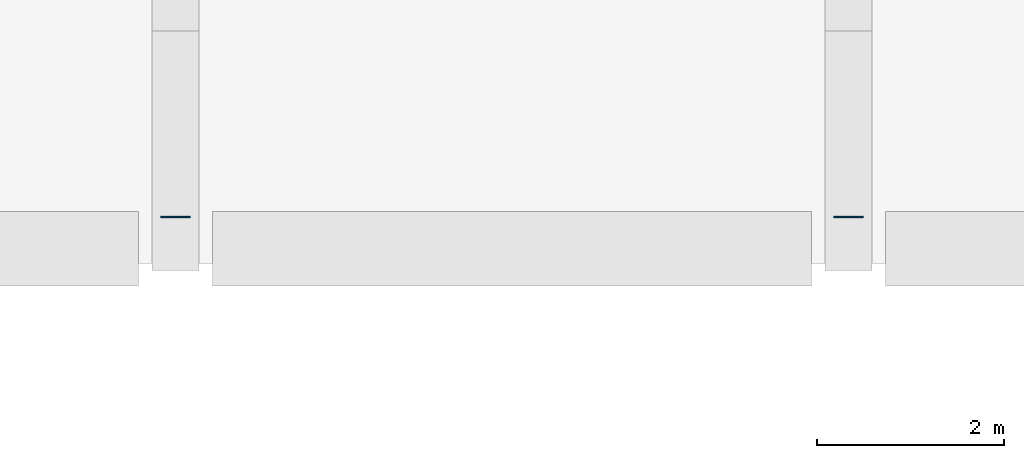
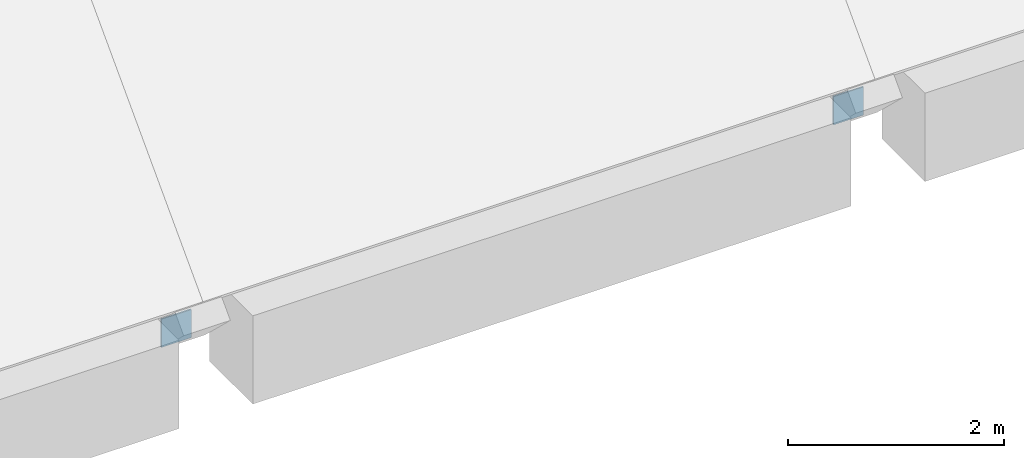
# One storey, part 8 of 16: 2 plates.
"""IFC4 building model written with IfcOpenShell, lengths in metres."""

from ifc_helpers import new_model, si_unit, direction, frame, origin, origin_2d, place, context, subcontext, project, spatial, rectangle, extrude, material, layer, layer_set, type_object, element, save


model = new_model("IFC4")

# Units and contexts
model_context = context("Model", 3, precision=1e-05, world=origin(), true_north=direction((0.0, 1.0)))
body_context = subcontext(model_context, "Body", "Model", "MODEL_VIEW")
ifc_project = project(units=[si_unit("LENGTHUNIT", "METRE"), si_unit("AREAUNIT", "SQUARE_METRE"), si_unit("VOLUMEUNIT", "CUBIC_METRE"), si_unit("PLANEANGLEUNIT", "RADIAN"), si_unit("MASSUNIT", "GRAM", prefix="KILO")], contexts=[model_context])

# Site, building, storey
site_placement = place(None, origin())
site = spatial("IfcSite", under=ifc_project, at=site_placement, CompositionType="ELEMENT")
building_placement = place(site_placement, origin())
building = spatial("IfcBuilding", under=site, at=building_placement, Name="Sardonyx Promenade Sports Hall", CompositionType="ELEMENT")
storey_placement = place(building_placement, frame((0.0, 0.0, 24.800048828125)))
storey = spatial("IfcBuildingStorey", under=building, at=storey_placement, Name="RF", CompositionType="ELEMENT", Elevation=24.800048828125)

# Plates
ifc_material = material(Name="Steel S355JR", Category="steel")
ifc_layer = layer(ifc_material, 0.01611328125)
ifc_layer_set = layer_set([ifc_layer], Name="Plt_EndCap_EC2")
plate_type = type_object("IfcPlateType", Name="Plt_EndCap_EC2", PredefinedType="USERDEFINED", material=ifc_layer_set)
for number, where, z_axis, x_axis, name in (
    (1, (57.60009765625, 72.342041015625, -4.60986328125), (0.0, 0.0, 1.0), (1.0, 0.0, 0.0), "Tie-rod end-cap plate V1 9 S"),
    (2, (64.800048828125, 72.342041015625, -4.60986328125), (0.0, 0.0, 1.0), (1.0, 0.0, 0.0), "Tie-rod end-cap plate V1 10 S"),
):
    element("IfcPlate", number, at=place(storey_placement, frame(where, z_axis=z_axis, x_axis=x_axis)), inside=storey, type_object=plate_type, Name=name, ObjectType="END CAP PLATE", PredefinedType="USERDEFINED", context=body_context, shape_type="SweptSolid", body=[
        extrude(rectangle(XDim=0.320068359375, YDim=0.01611328125, at=origin_2d()), origin(), (0.0, 0.0, 1.0), 0.320068359375),
    ])

save(model, "model.ifc")
